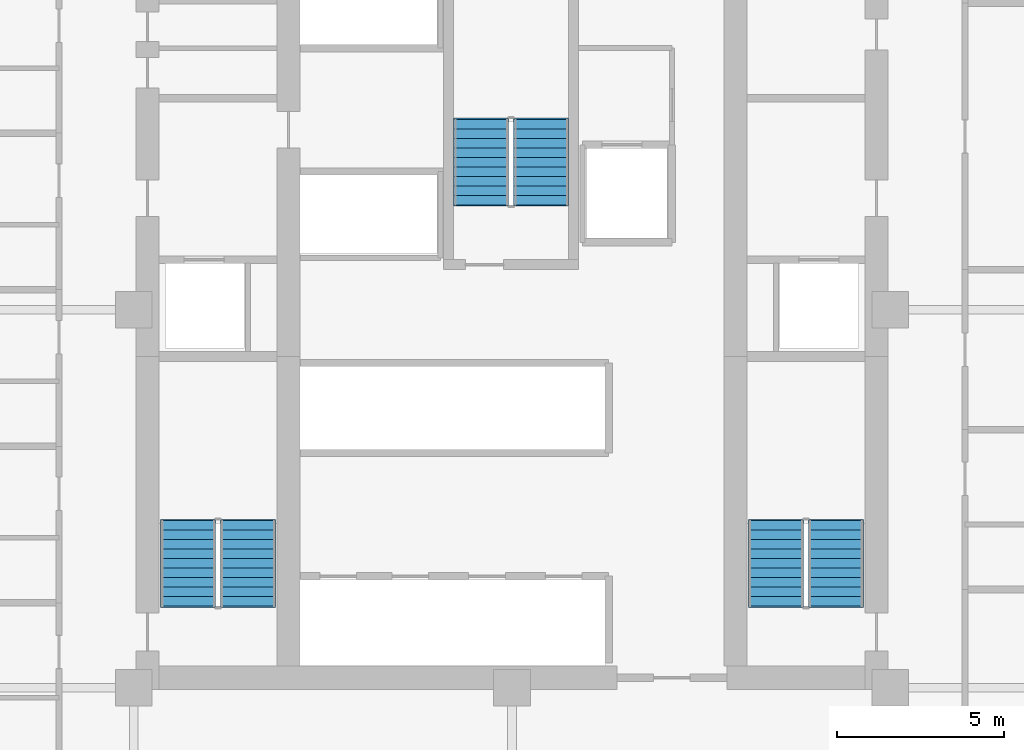
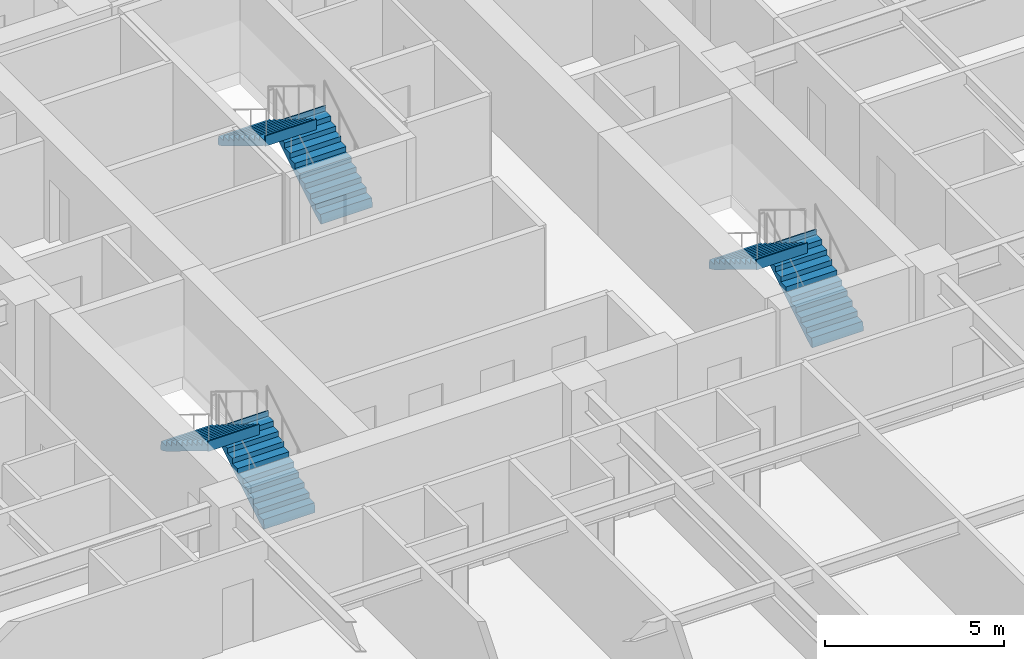
# One storey, part 7 of 8: 6 stair flights, 3 elements without a shape of their own.
"""IFC4 building model written with IfcOpenShell, lengths in metres."""

from ifc_helpers import new_model, si_unit, direction, frame, origin, place, context, subcontext, project, spatial, polyline, outline, extrude, material, type_object, element, aggregate, save


model = new_model("IFC4")

# Units and contexts
model_context = context("Model", 3, precision=1e-05, world=origin(), true_north=direction((0.0, 1.0)))
body_context = subcontext(model_context, "Body", "Model", "MODEL_VIEW")
ifc_project = project(units=[si_unit("LENGTHUNIT", "METRE"), si_unit("AREAUNIT", "SQUARE_METRE"), si_unit("VOLUMEUNIT", "CUBIC_METRE"), si_unit("PLANEANGLEUNIT", "RADIAN"), si_unit("MASSUNIT", "GRAM", prefix="KILO")], contexts=[model_context])

# Site, building, storey
site_placement = place(None, origin())
site = spatial("IfcSite", under=ifc_project, at=site_placement, CompositionType="ELEMENT")
building_placement = place(site_placement, origin())
building = spatial("IfcBuilding", under=site, at=building_placement, Name="Nhamokura Convention Tower", CompositionType="ELEMENT")
storey_placement = place(building_placement, frame((0.0, 0.0, 42.35009765625)))
storey = spatial("IfcBuildingStorey", under=building, at=storey_placement, Name="L08", CompositionType="ELEMENT", Elevation=42.35009765625)

# Stair, stair flights
ifc_material_1 = material(Name="Concrete C40/50", Category="concrete")
stair_type = type_object("IfcStairType", Name="TowerCoreStair_1650", PredefinedType="HALF_TURN_STAIR", material=ifc_material_1)
stair_1_placement = place(storey_placement, origin())
stair_1 = element("IfcStair", 1, at=stair_1_placement, inside=storey, type_object=stair_type, Name="L08 West Core Smokeproof Stair ST-01", PredefinedType="HALF_TURN_STAIR")
ifc_material_2 = material(Name="Concrete C40/50", Category="concrete")
stair_flight_type = type_object("IfcStairFlightType", Name="TowerCoreStair_1650_Flight", PredefinedType="STRAIGHT", material=ifc_material_2)
stair_flight_1_placement = place(storey_placement, frame((24.074951171875, 23.10009765625, 0.0), z_axis=(0.0, 0.0, 1.0), x_axis=(0.0, 1.0, 0.0)))
stair_flight_1 = element("IfcStairFlight", 2, at=stair_flight_1_placement, type_object=stair_flight_type, Name="ST-01 flight 1", NumberOfRisers=10, NumberOfTreads=9, PredefinedType="STRAIGHT", RiserHeight=0.175, TreadLength=0.285, context=body_context, shape_type="SweptSolid", body=[
    extrude(outline(polyline([(-0.0419921875, 0.0), (0.0, 0.175048828125), (0.284912109375, 0.175048828125), (0.284912109375, 0.35009765625), (0.570068359375, 0.35009765625), (0.570068359375, 0.52490234375), (0.85498046875, 0.52490234375), (0.85498046875, 0.699951171875), (1.139892578125, 0.699951171875), (1.139892578125, 0.875), (1.425048828125, 0.875), (1.425048828125, 1.050048828125), (1.7099609375, 1.050048828125), (1.7099609375, 1.22509765625), (1.9951171875, 1.22509765625), (1.9951171875, 1.39990234375), (2.280029296875, 1.39990234375), (2.280029296875, 1.574951171875), (2.56494140625, 1.574951171875), (2.56494140625, 1.75), (2.60693359375, 1.75), (2.60693359375, 1.399169921875), (2.56494140625, 1.399169921875), (0.286376953125, 0.0), (0.02001953125, -0.1298828125), (-0.0419921875, -0.1298828125), (-0.0419921875, 0.0)])), frame((0.0, 0.824951171875, 0.0), z_axis=(0.0, -1.0, 0.0), x_axis=(1.0, 0.0, 0.0)), (0.0, 0.0, 1.0), 1.64990234375),
])
stair_flight_2_placement = place(storey_placement, frame((22.27490234375, 25.6650390625, 1.75), z_axis=(0.0, 0.0, 1.0), x_axis=(0.0, -1.0, 0.0)))
stair_flight_2 = element("IfcStairFlight", 3, at=stair_flight_2_placement, type_object=stair_flight_type, Name="ST-01 flight 2", NumberOfRisers=10, NumberOfTreads=9, PredefinedType="STRAIGHT", RiserHeight=0.175, TreadLength=0.285, context=body_context, shape_type="SweptSolid", body=[
    extrude(outline(polyline([(-0.0419921875, 0.0), (0.0, 0.175048828125), (0.284912109375, 0.175048828125), (0.284912109375, 0.35009765625), (0.570068359375, 0.35009765625), (0.570068359375, 0.52490234375), (0.85498046875, 0.52490234375), (0.85498046875, 0.699951171875), (1.139892578125, 0.699951171875), (1.139892578125, 0.875), (1.425048828125, 0.875), (1.425048828125, 1.050048828125), (1.7099609375, 1.050048828125), (1.7099609375, 1.22509765625), (1.9951171875, 1.22509765625), (1.9951171875, 1.39990234375), (2.280029296875, 1.39990234375), (2.280029296875, 1.574951171875), (2.56494140625, 1.574951171875), (2.56494140625, 1.75), (2.60693359375, 1.75), (2.60693359375, 1.399169921875), (2.56494140625, 1.399169921875), (0.286376953125, 0.0), (0.02001953125, -0.1298828125), (-0.0419921875, -0.1298828125), (-0.0419921875, 0.0)])), frame((0.0, 0.824951171875, 0.0), z_axis=(0.0, -1.0, 0.0), x_axis=(1.0, 0.0, 0.0)), (0.0, 0.0, 1.0), 1.64990234375),
])
aggregate(stair_1, [stair_flight_1, stair_flight_2])

stair_2_placement = place(storey_placement, origin())
stair_2 = element("IfcStair", 4, at=stair_2_placement, inside=storey, type_object=stair_type, Name="L08 East Core Smokeproof Stair ST-02", PredefinedType="HALF_TURN_STAIR")
stair_flight_3_placement = place(storey_placement, frame((41.72509765625, 23.10009765625, 0.0), z_axis=(0.0, 0.0, 1.0), x_axis=(0.0, 1.0, 0.0)))
stair_flight_3 = element("IfcStairFlight", 5, at=stair_flight_3_placement, type_object=stair_flight_type, Name="ST-02 flight 1", NumberOfRisers=10, NumberOfTreads=9, PredefinedType="STRAIGHT", RiserHeight=0.175, TreadLength=0.285, context=body_context, shape_type="SweptSolid", body=[
    extrude(outline(polyline([(-0.0419921875, 0.0), (0.0, 0.175048828125), (0.284912109375, 0.175048828125), (0.284912109375, 0.35009765625), (0.570068359375, 0.35009765625), (0.570068359375, 0.52490234375), (0.85498046875, 0.52490234375), (0.85498046875, 0.699951171875), (1.139892578125, 0.699951171875), (1.139892578125, 0.875), (1.425048828125, 0.875), (1.425048828125, 1.050048828125), (1.7099609375, 1.050048828125), (1.7099609375, 1.22509765625), (1.9951171875, 1.22509765625), (1.9951171875, 1.39990234375), (2.280029296875, 1.39990234375), (2.280029296875, 1.574951171875), (2.56494140625, 1.574951171875), (2.56494140625, 1.75), (2.60693359375, 1.75), (2.60693359375, 1.399169921875), (2.56494140625, 1.399169921875), (0.286376953125, 0.0), (0.02001953125, -0.1298828125), (-0.0419921875, -0.1298828125), (-0.0419921875, 0.0)])), frame((0.0, 0.824951171875, 0.0), z_axis=(0.0, -1.0, 0.0), x_axis=(1.0, 0.0, 0.0)), (0.0, 0.0, 1.0), 1.64990234375),
])
stair_flight_4_placement = place(storey_placement, frame((39.925048828125, 25.6650390625, 1.75), z_axis=(0.0, 0.0, 1.0), x_axis=(0.0, -1.0, 0.0)))
stair_flight_4 = element("IfcStairFlight", 6, at=stair_flight_4_placement, type_object=stair_flight_type, Name="ST-02 flight 2", NumberOfRisers=10, NumberOfTreads=9, PredefinedType="STRAIGHT", RiserHeight=0.175, TreadLength=0.285, context=body_context, shape_type="SweptSolid", body=[
    extrude(outline(polyline([(-0.0419921875, 0.0), (0.0, 0.175048828125), (0.284912109375, 0.175048828125), (0.284912109375, 0.35009765625), (0.570068359375, 0.35009765625), (0.570068359375, 0.52490234375), (0.85498046875, 0.52490234375), (0.85498046875, 0.699951171875), (1.139892578125, 0.699951171875), (1.139892578125, 0.875), (1.425048828125, 0.875), (1.425048828125, 1.050048828125), (1.7099609375, 1.050048828125), (1.7099609375, 1.22509765625), (1.9951171875, 1.22509765625), (1.9951171875, 1.39990234375), (2.280029296875, 1.39990234375), (2.280029296875, 1.574951171875), (2.56494140625, 1.574951171875), (2.56494140625, 1.75), (2.60693359375, 1.75), (2.60693359375, 1.399169921875), (2.56494140625, 1.399169921875), (0.286376953125, 0.0), (0.02001953125, -0.1298828125), (-0.0419921875, -0.1298828125), (-0.0419921875, 0.0)])), frame((0.0, 0.824951171875, 0.0), z_axis=(0.0, -1.0, 0.0), x_axis=(1.0, 0.0, 0.0)), (0.0, 0.0, 1.0), 1.64990234375),
])
aggregate(stair_2, [stair_flight_3, stair_flight_4])

stair_3_placement = place(storey_placement, origin())
stair_3 = element("IfcStair", 7, at=stair_3_placement, inside=storey, type_object=stair_type, Name="L08 North Core Smokeproof Stair ST-03", PredefinedType="HALF_TURN_STAIR")
stair_flight_5_placement = place(storey_placement, frame((32.875, 35.14990234375, 0.0), z_axis=(0.0, 0.0, 1.0), x_axis=(0.0, 1.0, 0.0)))
stair_flight_5 = element("IfcStairFlight", 8, at=stair_flight_5_placement, type_object=stair_flight_type, Name="ST-03 flight 1", NumberOfRisers=10, NumberOfTreads=9, PredefinedType="STRAIGHT", RiserHeight=0.175, TreadLength=0.285, context=body_context, shape_type="SweptSolid", body=[
    extrude(outline(polyline([(-0.0419921875, 0.0), (0.0, 0.175048828125), (0.284912109375, 0.175048828125), (0.284912109375, 0.35009765625), (0.570068359375, 0.35009765625), (0.570068359375, 0.52490234375), (0.85498046875, 0.52490234375), (0.85498046875, 0.699951171875), (1.139892578125, 0.699951171875), (1.139892578125, 0.875), (1.425048828125, 0.875), (1.425048828125, 1.050048828125), (1.7099609375, 1.050048828125), (1.7099609375, 1.22509765625), (1.9951171875, 1.22509765625), (1.9951171875, 1.39990234375), (2.280029296875, 1.39990234375), (2.280029296875, 1.574951171875), (2.56494140625, 1.574951171875), (2.56494140625, 1.75), (2.60693359375, 1.75), (2.60693359375, 1.399169921875), (2.56494140625, 1.399169921875), (0.286376953125, 0.0), (0.02001953125, -0.1298828125), (-0.0419921875, -0.1298828125), (-0.0419921875, 0.0)])), frame((0.0, 0.824951171875, 0.0), z_axis=(0.0, -1.0, 0.0), x_axis=(1.0, 0.0, 0.0)), (0.0, 0.0, 1.0), 1.64990234375),
])
stair_flight_6_placement = place(storey_placement, frame((31.074951171875, 37.715087890625, 1.75), z_axis=(0.0, 0.0, 1.0), x_axis=(0.0, -1.0, 0.0)))
stair_flight_6 = element("IfcStairFlight", 9, at=stair_flight_6_placement, type_object=stair_flight_type, Name="ST-03 flight 2", NumberOfRisers=10, NumberOfTreads=9, PredefinedType="STRAIGHT", RiserHeight=0.175, TreadLength=0.285, context=body_context, shape_type="SweptSolid", body=[
    extrude(outline(polyline([(-0.0419921875, 0.0), (0.0, 0.175048828125), (0.284912109375, 0.175048828125), (0.284912109375, 0.35009765625), (0.570068359375, 0.35009765625), (0.570068359375, 0.52490234375), (0.85498046875, 0.52490234375), (0.85498046875, 0.699951171875), (1.139892578125, 0.699951171875), (1.139892578125, 0.875), (1.425048828125, 0.875), (1.425048828125, 1.050048828125), (1.7099609375, 1.050048828125), (1.7099609375, 1.22509765625), (1.9951171875, 1.22509765625), (1.9951171875, 1.39990234375), (2.280029296875, 1.39990234375), (2.280029296875, 1.574951171875), (2.56494140625, 1.574951171875), (2.56494140625, 1.75), (2.60693359375, 1.75), (2.60693359375, 1.399169921875), (2.56494140625, 1.399169921875), (0.286376953125, 0.0), (0.02001953125, -0.1298828125), (-0.0419921875, -0.1298828125), (-0.0419921875, 0.0)])), frame((0.0, 0.824951171875, 0.0), z_axis=(0.0, -1.0, 0.0), x_axis=(1.0, 0.0, 0.0)), (0.0, 0.0, 1.0), 1.64990234375),
])
aggregate(stair_3, [stair_flight_5, stair_flight_6])

save(model, "model.ifc")
